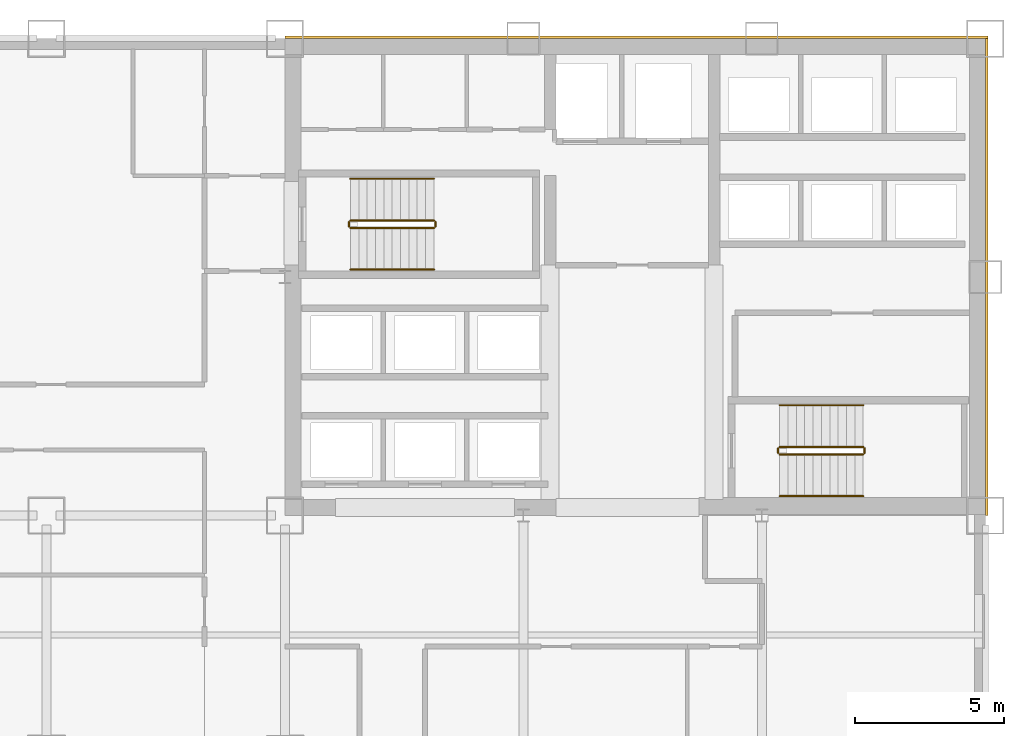
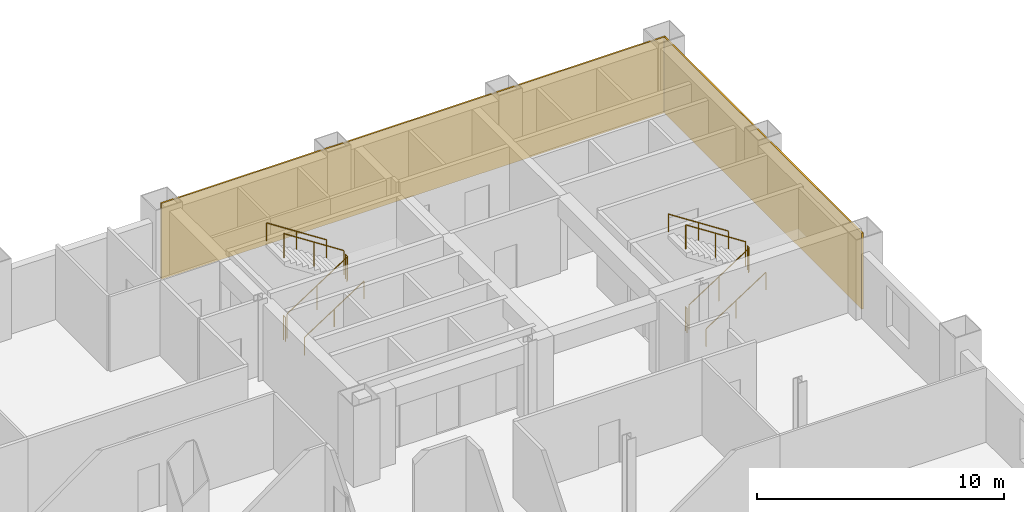
# One storey, part 9 of 9: 12 railings, 2 coverings.
"""IFC4 building model written with IfcOpenShell, lengths in metres."""

from ifc_helpers import new_model, si_unit, direction, frame, origin, origin_2d, place, context, subcontext, project, spatial, rectangle, circle, extrude, material, layer, layer_set, type_object, element, save


model = new_model("IFC4")

# Units and contexts
model_context = context("Model", 3, precision=1e-05, world=origin(), true_north=direction((0.0, 1.0)))
body_context = subcontext(model_context, "Body", "Model", "MODEL_VIEW")
ifc_project = project(units=[si_unit("LENGTHUNIT", "METRE"), si_unit("AREAUNIT", "SQUARE_METRE"), si_unit("VOLUMEUNIT", "CUBIC_METRE"), si_unit("PLANEANGLEUNIT", "RADIAN"), si_unit("MASSUNIT", "GRAM", prefix="KILO")], contexts=[model_context])

# Site, building, storey
site_placement = place(None, origin())
site = spatial("IfcSite", under=ifc_project, at=site_placement, CompositionType="ELEMENT")
building_placement = place(site_placement, origin())
building = spatial("IfcBuilding", under=site, at=building_placement, Name="Qianrong Seaharbour Tower", CompositionType="ELEMENT")
storey_placement = place(building_placement, frame((0.0, 0.0, 88.199951171875)))
storey = spatial("IfcBuildingStorey", under=building, at=storey_placement, Name="L21", CompositionType="ELEMENT", Elevation=88.199951171875)

# Coverings
ifc_material_1 = material(Name="Unitised red brick cladding on Precast concrete C45/55", Category="masonry")
ifc_layer = layer(ifc_material_1, 0.080078125)
ifc_layer_set = layer_set([ifc_layer], Name="Unitised red brick cladding on Precast concrete C45/55")
covering_type = type_object("IfcCoveringType", Name="COV-CLAD-RED-BRICK-80", PredefinedType="CLADDING", material=ifc_layer_set)
covering_1_placement = place(storey_placement, frame((52.2900390625, 52.0400390625, 0.0), z_axis=(0.0, 0.0, 1.0), x_axis=(1.0, 0.0, 0.0)))
element("IfcCovering", 1, at=covering_1_placement, inside=storey, type_object=covering_type, Name="L21 North Core Brick Veneer Cladding", PredefinedType="CLADDING", context=body_context, shape_type="SweptSolid", body=[
    extrude(rectangle(XDim=23.580078125, YDim=0.080078125, at=origin_2d()), origin(), (0.0, 0.0, 1.0), 3.75),
])
covering_2_placement = place(storey_placement, frame((64.0400390625, 44.0, 0.0), z_axis=(0.0, 0.0, 1.0), x_axis=(1.0, 0.0, 0.0)))
element("IfcCovering", 2, at=covering_2_placement, inside=storey, type_object=covering_type, Name="L21 East Core Brick Veneer Cladding", PredefinedType="CLADDING", context=body_context, shape_type="SweptSolid", body=[
    extrude(rectangle(XDim=0.080078125, YDim=16.0, at=origin_2d()), origin(), (0.0, 0.0, 1.0), 3.75),
])

# Railings
ifc_material_2 = material(Name="Galvanized painted steel SN400B stair guard", Category="steel")
railing_type_1 = type_object("IfcRailingType", Name="RAIL-STAIR-GUARD-1220", PredefinedType="GUARDRAIL", material=ifc_material_2)
railing_1_placement = place(storey_placement, frame((42.699951171875, 45.64990234375, 0.181884765625)))
element("IfcRailing", 3, at=railing_1_placement, inside=storey, type_object=railing_type_1, Name="L21 ST-1 stair guard 1", PredefinedType="GUARDRAIL", context=body_context, shape_type="SweptSolid", body=[
    extrude(circle(Radius=0.02392578125, at=origin_2d()), frame((0.0, 0.0, 1.19580078125), z_axis=(0.838705829183, 0.0, 0.544584733623), x_axis=(0.0, 1.0, 0.0)), (0.0, 0.0, 1.0), 3.338623046875),
    extrude(circle(Radius=0.02099609375, at=origin_2d()), origin(), (0.0, 0.0, 1.0), 1.171875),
    extrude(circle(Radius=0.02099609375, at=origin_2d()), frame((1.39990234375, 0.0, 0.9091796875)), (0.0, 0.0, 1.0), 1.171875),
    extrude(circle(Radius=0.02099609375, at=origin_2d()), frame((2.800048828125, 0.0, 1.818115234375)), (0.0, 0.0, 1.0), 1.171875),
])
railing_2_placement = place(storey_placement, frame((45.550048828125, 45.699951171875, 2.0)))
element("IfcRailing", 4, at=railing_2_placement, inside=storey, type_object=railing_type_1, Name="L21 ST-1 stair guard 2", PredefinedType="GUARDRAIL", context=body_context, shape_type="SweptSolid", body=[
    extrude(circle(Radius=0.02392578125, at=origin_2d()), frame((0.0, 0.0, 1.19580078125), z_axis=(0.0, 1.0, 0.0), x_axis=(-1.0, 0.0, 0.0)), (0.0, 0.0, 1.0), 0.150146484375),
    extrude(circle(Radius=0.02099609375, at=origin_2d()), origin(), (0.0, 0.0, 1.0), 1.171875),
    extrude(circle(Radius=0.02099609375, at=origin_2d()), frame((0.0, 0.150146484375, 0.0)), (0.0, 0.0, 1.0), 1.171875),
])
railing_3_placement = place(storey_placement, frame((45.5, 45.89990234375, 2.181884765625)))
element("IfcRailing", 5, at=railing_3_placement, inside=storey, type_object=railing_type_1, Name="L21 ST-1 stair guard 3", PredefinedType="GUARDRAIL", context=body_context, shape_type="SweptSolid", body=[
    extrude(circle(Radius=0.02392578125, at=origin_2d()), frame((0.0, 0.0, 1.19580078125), z_axis=(-0.838705829183, 0.0, 0.544584733623), x_axis=(0.0, -1.0, 0.0)), (0.0, 0.0, 1.0), 3.338623046875),
    extrude(circle(Radius=0.02099609375, at=origin_2d()), origin(), (0.0, 0.0, 1.0), 1.171875),
    extrude(circle(Radius=0.02099609375, at=origin_2d()), frame((-1.39990234375, 0.0, 0.9091796875)), (0.0, 0.0, 1.0), 1.171875),
    extrude(circle(Radius=0.02099609375, at=origin_2d()), frame((-2.800048828125, 0.0, 1.818115234375)), (0.0, 0.0, 1.0), 1.171875),
])
railing_4_placement = place(storey_placement, frame((42.64990234375, 45.699951171875, 0.0)))
element("IfcRailing", 6, at=railing_4_placement, inside=storey, type_object=railing_type_1, Name="L21 ST-1 stair guard 4", PredefinedType="GUARDRAIL", context=body_context, shape_type="SweptSolid", body=[
    extrude(circle(Radius=0.02392578125, at=origin_2d()), frame((0.0, 0.0, 1.19580078125), z_axis=(0.0, 1.0, 0.0), x_axis=(-1.0, 0.0, 0.0)), (0.0, 0.0, 1.0), 0.150146484375),
    extrude(circle(Radius=0.02099609375, at=origin_2d()), origin(), (0.0, 0.0, 1.0), 1.171875),
    extrude(circle(Radius=0.02099609375, at=origin_2d()), frame((0.0, 0.150146484375, 0.0)), (0.0, 0.0, 1.0), 1.171875),
])
railing_5_placement = place(storey_placement, frame((57.10009765625, 38.050048828125, 0.181884765625)))
element("IfcRailing", 7, at=railing_5_placement, inside=storey, type_object=railing_type_1, Name="L21 ST-2 stair guard 1", PredefinedType="GUARDRAIL", context=body_context, shape_type="SweptSolid", body=[
    extrude(circle(Radius=0.02392578125, at=origin_2d()), frame((0.0, 0.0, 1.19580078125), z_axis=(0.83868413941, 0.0, 0.544618136222), x_axis=(0.0, 1.0, 0.0)), (0.0, 0.0, 1.0), 3.33837890625),
    extrude(circle(Radius=0.02099609375, at=origin_2d()), origin(), (0.0, 0.0, 1.0), 1.171875),
    extrude(circle(Radius=0.02099609375, at=origin_2d()), frame((1.39990234375, 0.0, 0.9091796875)), (0.0, 0.0, 1.0), 1.171875),
    extrude(circle(Radius=0.02099609375, at=origin_2d()), frame((2.7998046875, 0.0, 1.818115234375)), (0.0, 0.0, 1.0), 1.171875),
])
railing_6_placement = place(storey_placement, frame((59.949951171875, 38.10009765625, 2.0)))
element("IfcRailing", 8, at=railing_6_placement, inside=storey, type_object=railing_type_1, Name="L21 ST-2 stair guard 2", PredefinedType="GUARDRAIL", context=body_context, shape_type="SweptSolid", body=[
    extrude(circle(Radius=0.02392578125, at=origin_2d()), frame((0.0, 0.0, 1.19580078125), z_axis=(0.0, 1.0, 0.0), x_axis=(-1.0, 0.0, 0.0)), (0.0, 0.0, 1.0), 0.14990234375),
    extrude(circle(Radius=0.02099609375, at=origin_2d()), origin(), (0.0, 0.0, 1.0), 1.171875),
    extrude(circle(Radius=0.02099609375, at=origin_2d()), frame((0.0, 0.14990234375, 0.0)), (0.0, 0.0, 1.0), 1.171875),
])
railing_7_placement = place(storey_placement, frame((59.89990234375, 38.300048828125, 2.181884765625)))
element("IfcRailing", 9, at=railing_7_placement, inside=storey, type_object=railing_type_1, Name="L21 ST-2 stair guard 3", PredefinedType="GUARDRAIL", context=body_context, shape_type="SweptSolid", body=[
    extrude(circle(Radius=0.02392578125, at=origin_2d()), frame((0.0, 0.0, 1.19580078125), z_axis=(-0.83868413941, 0.0, 0.544618136222), x_axis=(0.0, -1.0, 0.0)), (0.0, 0.0, 1.0), 3.33837890625),
    extrude(circle(Radius=0.02099609375, at=origin_2d()), origin(), (0.0, 0.0, 1.0), 1.171875),
    extrude(circle(Radius=0.02099609375, at=origin_2d()), frame((-1.39990234375, 0.0, 0.9091796875)), (0.0, 0.0, 1.0), 1.171875),
    extrude(circle(Radius=0.02099609375, at=origin_2d()), frame((-2.7998046875, 0.0, 1.818115234375)), (0.0, 0.0, 1.0), 1.171875),
])
railing_8_placement = place(storey_placement, frame((57.050048828125, 38.10009765625, 0.0)))
element("IfcRailing", 10, at=railing_8_placement, inside=storey, type_object=railing_type_1, Name="L21 ST-2 stair guard 4", PredefinedType="GUARDRAIL", context=body_context, shape_type="SweptSolid", body=[
    extrude(circle(Radius=0.02392578125, at=origin_2d()), frame((0.0, 0.0, 1.19580078125), z_axis=(0.0, 1.0, 0.0), x_axis=(-1.0, 0.0, 0.0)), (0.0, 0.0, 1.0), 0.14990234375),
    extrude(circle(Radius=0.02099609375, at=origin_2d()), origin(), (0.0, 0.0, 1.0), 1.171875),
    extrude(circle(Radius=0.02099609375, at=origin_2d()), frame((0.0, 0.14990234375, 0.0)), (0.0, 0.0, 1.0), 1.171875),
])
ifc_material_3 = material(Name="Stainless steel SUS316L continuous handrail", Category="steel")
railing_type_2 = type_object("IfcRailingType", Name="RAIL-STAIR-HANDRAIL-900", PredefinedType="HANDRAIL", material=ifc_material_3)
railing_9_placement = place(storey_placement, frame((42.699951171875, 44.25, 0.181884765625)))
element("IfcRailing", 11, at=railing_9_placement, inside=storey, type_object=railing_type_2, Name="L21 ST-1 stair handrail 1", PredefinedType="HANDRAIL", context=body_context, shape_type="SweptSolid", body=[
    extrude(circle(Radius=0.02392578125, at=origin_2d()), frame((0.0, 0.0, 0.8759765625), z_axis=(0.838705829183, 0.0, 0.544584733623), x_axis=(0.0, 1.0, 0.0)), (0.0, 0.0, 1.0), 3.338623046875),
    extrude(circle(Radius=0.02099609375, at=origin_2d()), origin(), (0.0, 0.0, 1.0), 0.851806640625),
    extrude(circle(Radius=0.02099609375, at=origin_2d()), frame((1.39990234375, 0.0, 0.9091796875)), (0.0, 0.0, 1.0), 0.851806640625),
    extrude(circle(Radius=0.02099609375, at=origin_2d()), frame((2.800048828125, 0.0, 1.818115234375)), (0.0, 0.0, 1.0), 0.851806640625),
])
railing_10_placement = place(storey_placement, frame((45.5, 47.300048828125, 2.181884765625)))
element("IfcRailing", 12, at=railing_10_placement, inside=storey, type_object=railing_type_2, Name="L21 ST-1 stair handrail 2", PredefinedType="HANDRAIL", context=body_context, shape_type="SweptSolid", body=[
    extrude(circle(Radius=0.02392578125, at=origin_2d()), frame((0.0, 0.0, 0.8759765625), z_axis=(-0.838705829183, 0.0, 0.544584733623), x_axis=(0.0, -1.0, 0.0)), (0.0, 0.0, 1.0), 3.338623046875),
    extrude(circle(Radius=0.02099609375, at=origin_2d()), origin(), (0.0, 0.0, 1.0), 0.851806640625),
    extrude(circle(Radius=0.02099609375, at=origin_2d()), frame((-1.39990234375, 0.0, 0.9091796875)), (0.0, 0.0, 1.0), 0.851806640625),
    extrude(circle(Radius=0.02099609375, at=origin_2d()), frame((-2.800048828125, 0.0, 1.818115234375)), (0.0, 0.0, 1.0), 0.851806640625),
])
railing_11_placement = place(storey_placement, frame((57.10009765625, 36.64990234375, 0.181884765625)))
element("IfcRailing", 13, at=railing_11_placement, inside=storey, type_object=railing_type_2, Name="L21 ST-2 stair handrail 1", PredefinedType="HANDRAIL", context=body_context, shape_type="SweptSolid", body=[
    extrude(circle(Radius=0.02392578125, at=origin_2d()), frame((0.0, 0.0, 0.8759765625), z_axis=(0.83868413941, 0.0, 0.544618136222), x_axis=(0.0, 1.0, 0.0)), (0.0, 0.0, 1.0), 3.33837890625),
    extrude(circle(Radius=0.02099609375, at=origin_2d()), origin(), (0.0, 0.0, 1.0), 0.851806640625),
    extrude(circle(Radius=0.02099609375, at=origin_2d()), frame((1.39990234375, 0.0, 0.9091796875)), (0.0, 0.0, 1.0), 0.851806640625),
    extrude(circle(Radius=0.02099609375, at=origin_2d()), frame((2.7998046875, 0.0, 1.818115234375)), (0.0, 0.0, 1.0), 0.851806640625),
])
railing_12_placement = place(storey_placement, frame((59.89990234375, 39.699951171875, 2.181884765625)))
element("IfcRailing", 14, at=railing_12_placement, inside=storey, type_object=railing_type_2, Name="L21 ST-2 stair handrail 2", PredefinedType="HANDRAIL", context=body_context, shape_type="SweptSolid", body=[
    extrude(circle(Radius=0.02392578125, at=origin_2d()), frame((0.0, 0.0, 0.8759765625), z_axis=(-0.83868413941, 0.0, 0.544618136222), x_axis=(0.0, -1.0, 0.0)), (0.0, 0.0, 1.0), 3.33837890625),
    extrude(circle(Radius=0.02099609375, at=origin_2d()), origin(), (0.0, 0.0, 1.0), 0.851806640625),
    extrude(circle(Radius=0.02099609375, at=origin_2d()), frame((-1.39990234375, 0.0, 0.9091796875)), (0.0, 0.0, 1.0), 0.851806640625),
    extrude(circle(Radius=0.02099609375, at=origin_2d()), frame((-2.7998046875, 0.0, 1.818115234375)), (0.0, 0.0, 1.0), 0.851806640625),
])

save(model, "model.ifc")
